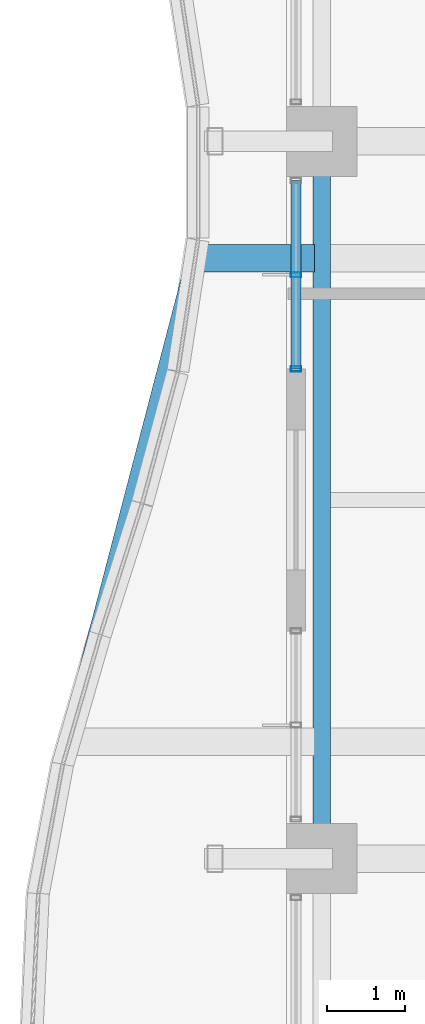
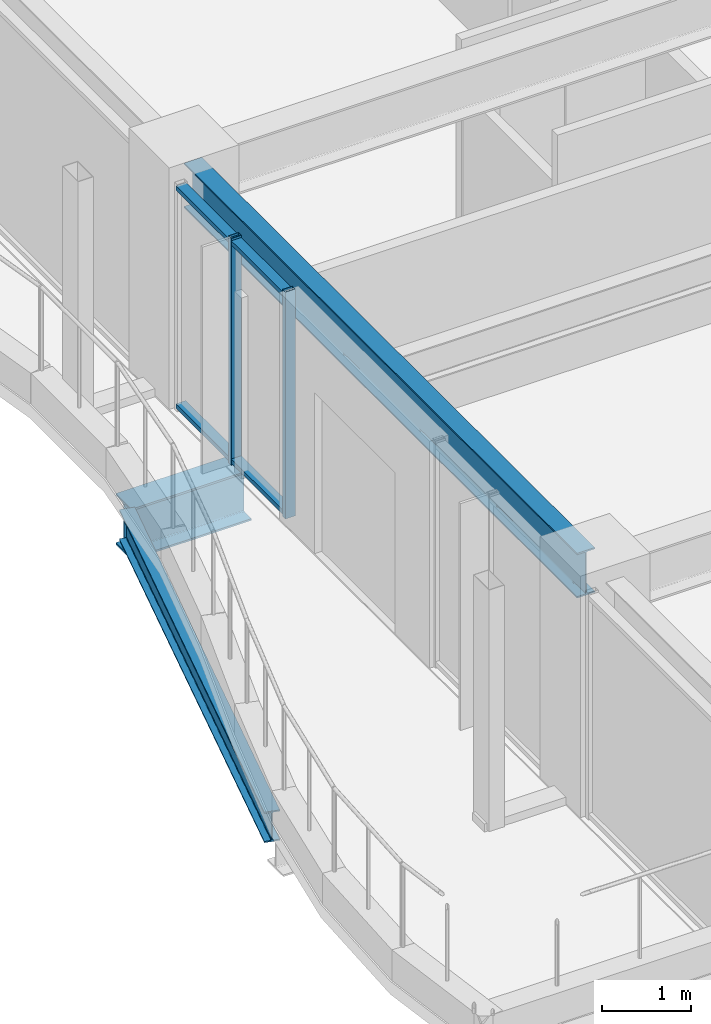
# One storey, part 10 of 35: 4 members, 3 beams, 1 element without a shape of its own.
"""IFC4 building model written with IfcOpenShell, lengths in metres."""

from ifc_helpers import new_model, si_unit, direction, frame, origin, origin_2d, place, context, subcontext, project, spatial, hollow_rectangle, i_section, extrude, material, material_profile, profile_set, type_object, element, aggregate, save


model = new_model("IFC4")

# Units and contexts
model_context = context("Model", 3, precision=1e-05, world=origin(), true_north=direction((0.0, 1.0)))
body_context = subcontext(model_context, "Body", "Model", "MODEL_VIEW")
ifc_project = project(units=[si_unit("LENGTHUNIT", "METRE"), si_unit("AREAUNIT", "SQUARE_METRE"), si_unit("VOLUMEUNIT", "CUBIC_METRE"), si_unit("PLANEANGLEUNIT", "RADIAN"), si_unit("MASSUNIT", "GRAM", prefix="KILO")], contexts=[model_context])

# Site, building, storey
site_placement = place(None, origin())
site = spatial("IfcSite", under=ifc_project, at=site_placement, CompositionType="ELEMENT")
building_placement = place(site_placement, origin())
building = spatial("IfcBuilding", under=site, at=building_placement, Name="Kolvaren Belvedere", CompositionType="ELEMENT")
storey_placement = place(building_placement, frame((0.0, 0.0, 163.5)))
storey = spatial("IfcBuildingStorey", under=building, at=storey_placement, Name="L47", CompositionType="ELEMENT", Elevation=163.5)

# Beams
ifc_material_1 = material(Name="Structural steel ASTM A992 Grade 50", Category="steel")
ifc_material_profile_1 = material_profile(ifc_material_1, i_section(OverallWidth=0.35498046875, OverallDepth=0.696044921875, WebThickness=0.015380859375, FlangeThickness=0.02490234375, FilletRadius=0.02197265625, at=origin_2d()), Name="W27X146")
ifc_profile_set_1 = profile_set([ifc_material_profile_1], Name="Structural steel ASTM A992 Grade 50")
beam_type_1 = type_object("IfcBeamType", Name="BM-CANT-BAL", PredefinedType="BEAM", material=ifc_profile_set_1)
beam_1_placement = place(storey_placement, frame((-18.7451171875, 3.10009765625, -0.548095703125), z_axis=(-1.0, 0.0, 0.0), x_axis=(0.0, -1.0, 0.0)))
element("IfcBeam", 1, at=beam_1_placement, inside=storey, type_object=beam_type_1, Name="L47 Planted Balcony Cantilever BAL-W-2", PredefinedType="BEAM", context=body_context, shape_type="SweptSolid", body=[
    extrude(i_section(OverallWidth=0.35498046875, OverallDepth=0.696044921875, WebThickness=0.015380859375, FlangeThickness=0.02490234375, FilletRadius=0.02197265625, at=origin_2d()), origin(), (0.0, 0.0, 1.0), 1.548828125),
])
ifc_material_2 = material(Name="Structural steel ASTM A992 Grade 50", Category="steel")
ifc_material_profile_2 = material_profile(ifc_material_2, i_section(OverallWidth=0.180908203125, OverallDepth=0.4169921875, WebThickness=0.010986328125, FlangeThickness=0.018310546875, FilletRadius=0.013916015625, at=origin_2d()), Name="W16X57")
ifc_profile_set_2 = profile_set([ifc_material_profile_2], Name="Structural steel ASTM A992 Grade 50")
beam_type_2 = type_object("IfcBeamType", Name="BM-EDGE-W16X57", PredefinedType="BEAM", material=ifc_profile_set_2)
beam_2_placement = place(storey_placement, frame((-21.877685546875, -2.964599609375, -0.408447265625), z_axis=(0.25266515985, 0.9675537799, 0.0), x_axis=(-0.9675537799, 0.25266515985, 0.0)))
element("IfcBeam", 2, at=beam_2_placement, inside=storey, type_object=beam_type_2, Name="L47 Balcony Tip Header Beam BAL-W", PredefinedType="BEAM", context=body_context, shape_type="SweptSolid", body=[
    extrude(i_section(OverallWidth=0.180908203125, OverallDepth=0.4169921875, WebThickness=0.010986328125, FlangeThickness=0.018310546875, FilletRadius=0.013916015625, at=origin_2d()), origin(), (0.0, 0.0, 1.0), 6.1279296875),
])
ifc_material_3 = material(Name="Structural steel ASTM A992 Grade 50", Category="steel")
ifc_material_profile_3 = material_profile(ifc_material_3, i_section(OverallWidth=0.22900390625, OverallDepth=0.612060546875, WebThickness=0.011962890625, FlangeThickness=0.01953125, FilletRadius=0.01806640625, at=origin_2d()), Name="W24X84")
ifc_profile_set_3 = profile_set([ifc_material_profile_3], Name="Structural steel ASTM A992 Grade 50")
beam_type_3 = type_object("IfcBeamType", Name="BM-SPAN-W24X84", PredefinedType="SPANDREL", material=ifc_profile_set_3)
beam_3_placement = place(storey_placement, frame((-18.64990234375, 4.3974609375, 2.7939453125), z_axis=(0.0, -1.0, 0.0), x_axis=(1.0, 0.0, 0.0)))
element("IfcBeam", 3, at=beam_3_placement, inside=storey, type_object=beam_type_3, Name="L47 Perimeter Spandrel W3-W2", PredefinedType="SPANDREL", context=body_context, shape_type="SweptSolid", body=[
    extrude(i_section(OverallWidth=0.22900390625, OverallDepth=0.612060546875, WebThickness=0.011962890625, FlangeThickness=0.01953125, FilletRadius=0.01806640625, at=origin_2d()), origin(), (0.0, 0.0, 1.0), 8.794921875),
])

# Curtain wall, members
ifc_material_4 = material(Name="Anodised pale-metal aluminium AA 6063-T6", Category="aluminium")
curtain_wall_type = type_object("IfcCurtainWallType", Name="CW-Z3-WAIST", PredefinedType="NOTDEFINED", material=ifc_material_4)
curtain_wall_placement = place(storey_placement, origin())
curtain_wall = element("IfcCurtainWall", 4, at=curtain_wall_placement, inside=storey, type_object=curtain_wall_type, Name="L47 Unitised Curtain Wall FCW-L47-W2-B1", PredefinedType="NOTDEFINED")
ifc_material_5 = material(Name="Anodised pale-metal aluminium AA 6063-T6", Category="aluminium")
ifc_material_profile_4 = material_profile(ifc_material_5, hollow_rectangle(XDim=0.06494140625, YDim=0.1298828125, WallThickness=0.00390625, at=origin_2d()), Name="ALU-MUL-130X65")
ifc_profile_set_4 = profile_set([ifc_material_profile_4], Name="Anodised pale-metal aluminium AA 6063-T6")
member_type_1 = type_object("IfcMemberType", Name="CW-MUL-130", PredefinedType="MULLION", material=ifc_profile_set_4)
member_1_placement = place(storey_placement, frame((-18.97998046875, 1.679931640625, 0.0), z_axis=(0.0, 0.0, 1.0), x_axis=(0.0, 1.0, 0.0)))
member_1 = element("IfcMember", 5, at=member_1_placement, type_object=member_type_1, Name="FCW-L47-W2-B1 Unitised Mullion 1", PredefinedType="MULLION", context=body_context, shape_type="SweptSolid", body=[
    extrude(hollow_rectangle(XDim=0.06494140625, YDim=0.1298828125, WallThickness=0.00390625, at=origin_2d()), origin(), (0.0, 0.0, 1.0), 3.10009765625),
])
member_2_placement = place(storey_placement, frame((-18.97998046875, 2.888671875, 0.0), z_axis=(0.0, 0.0, 1.0), x_axis=(0.0, 1.0, 0.0)))
member_2 = element("IfcMember", 6, at=member_2_placement, type_object=member_type_1, Name="FCW-L47-W2-B1 Unitised Mullion 2", PredefinedType="MULLION", context=body_context, shape_type="SweptSolid", body=[
    extrude(hollow_rectangle(XDim=0.06494140625, YDim=0.1298828125, WallThickness=0.00390625, at=origin_2d()), origin(), (0.0, 0.0, 1.0), 3.10009765625),
])
ifc_material_6 = material(Name="Anodised pale-metal aluminium AA 6063-T6", Category="aluminium")
ifc_material_profile_5 = material_profile(ifc_material_6, hollow_rectangle(XDim=0.06005859375, YDim=0.1298828125, WallThickness=0.00390625, at=origin_2d()), Name="ALU-TRN-130X60")
ifc_profile_set_5 = profile_set([ifc_material_profile_5], Name="Anodised pale-metal aluminium AA 6063-T6")
member_type_2 = type_object("IfcMemberType", Name="CW-TRN-130", PredefinedType="USERDEFINED", material=ifc_profile_set_5)
member_3_placement = place(storey_placement, frame((-18.97998046875, 1.679931640625, 0.06005859375), z_axis=(0.0, 1.0, 0.0), x_axis=(0.0, 0.0, 1.0)))
member_3 = element("IfcMember", 7, at=member_3_placement, type_object=member_type_2, Name="FCW-L47-W2-B1 Sill Transom", ObjectType="TRANSOM", PredefinedType="USERDEFINED", context=body_context, shape_type="SweptSolid", body=[
    extrude(hollow_rectangle(XDim=0.06005859375, YDim=0.1298828125, WallThickness=0.00390625, at=origin_2d()), origin(), (0.0, 0.0, 1.0), 2.41748046875),
])
member_4_placement = place(storey_placement, frame((-18.97998046875, 1.679931640625, 3.0400390625), z_axis=(0.0, 1.0, 0.0), x_axis=(0.0, 0.0, 1.0)))
member_4 = element("IfcMember", 8, at=member_4_placement, type_object=member_type_2, Name="FCW-L47-W2-B1 Head Transom", ObjectType="TRANSOM", PredefinedType="USERDEFINED", context=body_context, shape_type="SweptSolid", body=[
    extrude(hollow_rectangle(XDim=0.06005859375, YDim=0.1298828125, WallThickness=0.00390625, at=origin_2d()), origin(), (0.0, 0.0, 1.0), 2.41748046875),
])
aggregate(curtain_wall, [member_1, member_2, member_3, member_4])

save(model, "model.ifc")
